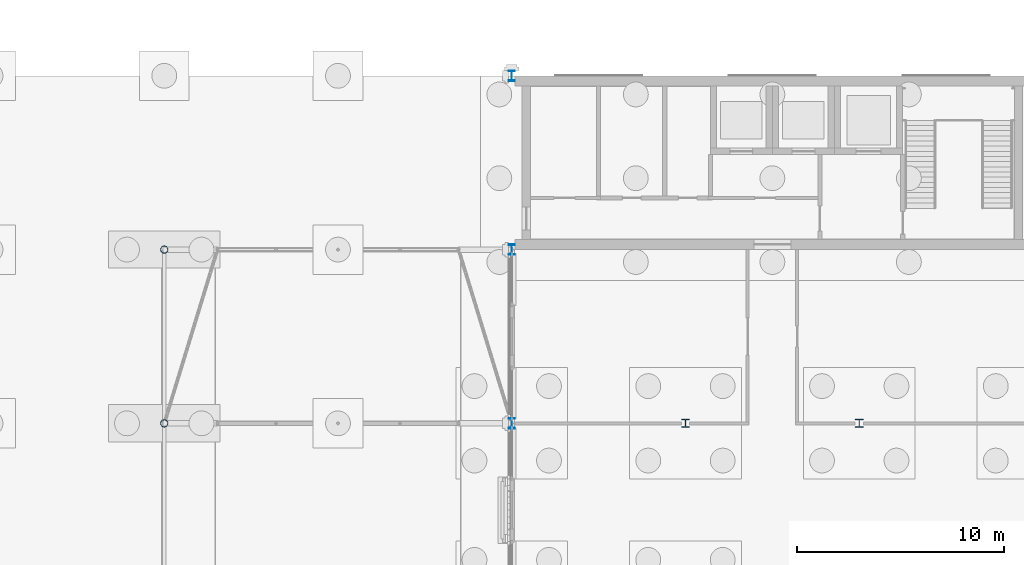
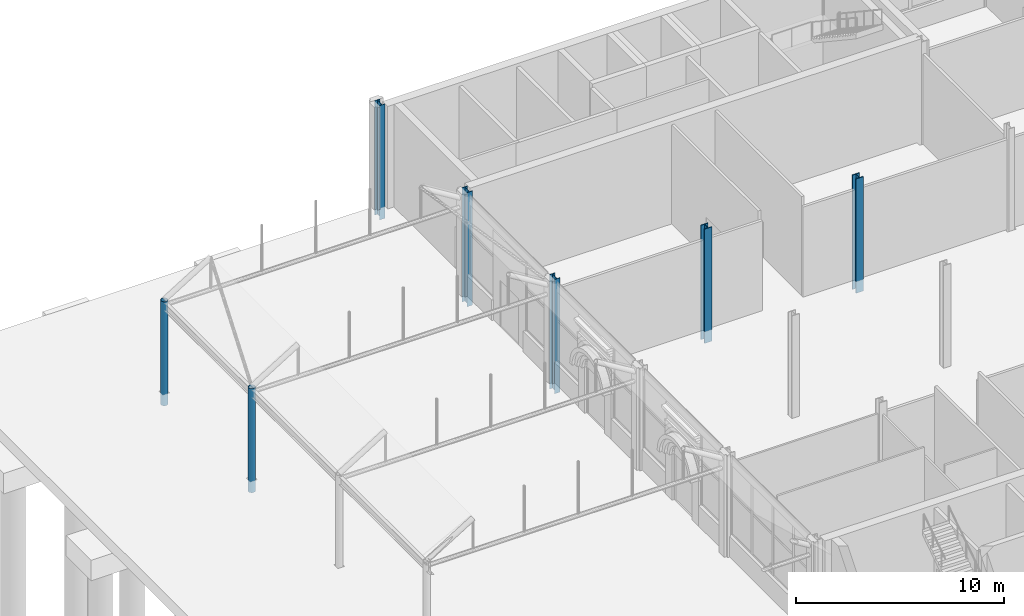
# One storey, part 32 of 212: 7 columns.
"""IFC4 building model written with IfcOpenShell, lengths in metres."""

import ifcopenshell
import ifcopenshell.guid

model = None  # the IFC model being written
_history = None  # IfcOwnerHistory: only IFC2X3 demands one
_inside = {}  # id of a spatial element -> (the spatial element, [elements in it])
_under = {}  # id of a project, library or spatial element -> (it, [spatial elements below it])
_declared = {}  # id of a project -> (the project, [libraries it declares])
_typed = {}  # id of a type object -> (the type object, [elements of that type])
_made_of = {}  # id of a material, layer set ... -> (it, [elements and type objects made of it])


def new_model(schema):
    """Start an empty IFC model of exactly this schema.

    Asked for "IFC4X3", IfcOpenShell would pick the latest addendum, in which some entities
    have other attributes; the version numbers below select the first issue.
    IFC2X3 requires an IfcOwnerHistory on every rooted entity: one is made here for all.
    """
    global model, _history
    if schema == "IFC4X3":
        model = ifcopenshell.file(schema_version=(4, 3, 0, 0))
    else:
        model = ifcopenshell.file(schema=schema)
    _inside.clear()
    _under.clear()
    _declared.clear()
    _typed.clear()
    _made_of.clear()
    _history = None
    if model.schema == "IFC2X3":
        org = make("IfcOrganization", Name="unknown")
        user = make(
            "IfcPersonAndOrganization",
            ThePerson=make("IfcPerson", FamilyName="unknown"),
            TheOrganization=org,
        )
        app = make(
            "IfcApplication",
            ApplicationDeveloper=org,
            Version="unknown",
            ApplicationFullName="unknown",
            ApplicationIdentifier="unknown",
        )
        _history = make(
            "IfcOwnerHistory",
            OwningUser=user,
            OwningApplication=app,
            ChangeAction="ADDED",
            CreationDate=0,
        )
    return model


def make(cls, **values):
    """One entity of the class cls with the attributes given. An attribute that is None is left unset."""
    return model.create_entity(
        cls, **{name: value for name, value in values.items() if value is not None}
    )


def rooted(cls, **values):
    """An entity with a GlobalId (a new one), such as an element, a storey or a relation."""
    return make(cls, GlobalId=ifcopenshell.guid.new(), OwnerHistory=_history, **values)


def si_unit(unit_type, name, prefix=None):
    """IfcSIUnit, for example si_unit("LENGTHUNIT", "METRE", prefix="MILLI")."""
    return make("IfcSIUnit", UnitType=unit_type, Prefix=prefix, Name=name)


def assignment(units):
    """IfcUnitAssignment: the units of a project."""
    return None if units is None else make("IfcUnitAssignment", Units=units)


def point(xyz):
    """IfcCartesianPoint."""
    return None if xyz is None else make("IfcCartesianPoint", Coordinates=xyz)


def direction(xyz):
    """IfcDirection."""
    return None if xyz is None else make("IfcDirection", DirectionRatios=xyz)


def frame(location, z_axis=None, x_axis=None):
    """IfcAxis2Placement3D, a coordinate frame: its origin and axes. An axis left out is left unset."""
    return make(
        "IfcAxis2Placement3D",
        Location=point(location),
        Axis=direction(z_axis),
        RefDirection=direction(x_axis),
    )


def frame_2d(location, x_axis=None):
    """IfcAxis2Placement2D, a coordinate frame in the plane: its origin and x axis."""
    return make(
        "IfcAxis2Placement2D", Location=point(location), RefDirection=direction(x_axis)
    )


def origin():
    """The frame at (0, 0, 0) with its axes left unset."""
    return frame((0.0, 0.0, 0.0))


def origin_2d():
    """The frame at (0, 0) in the plane with its x axis left unset."""
    return frame_2d((0.0, 0.0))


def place(relative_to, where):
    """IfcLocalPlacement: puts the frame where relative to a parent placement (None: the world)."""
    return make(
        "IfcLocalPlacement", PlacementRelTo=relative_to, RelativePlacement=where
    )


def context(
    kind, dimensions, precision=None, world=None, true_north=None, identifier=None
):
    """IfcGeometricRepresentationContext, for example the 3D "Model" context."""
    return make(
        "IfcGeometricRepresentationContext",
        ContextIdentifier=identifier,
        ContextType=kind,
        CoordinateSpaceDimension=dimensions,
        Precision=precision,
        WorldCoordinateSystem=world,
        TrueNorth=true_north,
    )


def subcontext(parent, identifier, kind, view, scale=None):
    """IfcGeometricRepresentationSubContext, for example "Body" below "Model"."""
    return make(
        "IfcGeometricRepresentationSubContext",
        ContextIdentifier=identifier,
        ContextType=kind,
        ParentContext=parent,
        TargetScale=scale,
        TargetView=view,
    )


def project(units=None, contexts=None):
    """IfcProject with its units and contexts."""
    return rooted(
        "IfcProject",
        Name="project",
        RepresentationContexts=contexts,
        UnitsInContext=assignment(units),
    )


def spatial(cls, under=None, at=None, **own):
    """A site, building, storey or space (cls), placed at a placement, below another one or the project."""
    s = rooted(cls, ObjectPlacement=at, **own)
    if under is not None:
        _under.setdefault(under.id(), (under, []))[1].append(s)
    return s


def profile(cls, at=None, kind="AREA", **sizes):
    """A parametric profile (cls). Its sizes go by their IFC names, for example OverallWidth=200.0."""
    return make(cls, ProfileType=kind, Position=at, **sizes)


def hollow_circle(**sizes):
    """IfcCircleHollowProfileDef."""
    return profile("IfcCircleHollowProfileDef", **sizes)


def i_section(**sizes):
    """IfcIShapeProfileDef."""
    return profile("IfcIShapeProfileDef", **sizes)


def extrude(swept, where, along, depth):
    """IfcExtrudedAreaSolid: the profile swept, set in the frame where, extruded along a direction by depth."""
    return make(
        "IfcExtrudedAreaSolid",
        SweptArea=swept,
        Position=where,
        ExtrudedDirection=direction(along),
        Depth=depth,
    )


def shape(context_of_items, identifier, shape_type, items):
    """IfcShapeRepresentation: the items that make up one representation, for example the "Body"."""
    return make(
        "IfcShapeRepresentation",
        ContextOfItems=context_of_items,
        RepresentationIdentifier=identifier,
        RepresentationType=shape_type,
        Items=items,
    )


def material(Name=None, Category=None):
    """IfcMaterial."""
    return make("IfcMaterial", Name=Name, Category=Category)


def material_profile(
    of_material, cross_section, Name=None, Category=None, Priority=None
):
    """IfcMaterialProfile: a cross section and its material."""
    return make(
        "IfcMaterialProfile",
        Name=Name,
        Material=of_material,
        Profile=cross_section,
        Priority=Priority,
        Category=Category,
    )


def profile_set(profiles, Name=None, composite=None):
    """IfcMaterialProfileSet."""
    return make(
        "IfcMaterialProfileSet",
        Name=Name,
        MaterialProfiles=profiles,
        CompositeProfile=composite,
    )


def made_of(thing, what):
    """Note that an element or type object is made of a material, layer set ...; save() writes the relation."""
    if what is not None:
        _made_of.setdefault(what.id(), (what, []))[1].append(thing)
    return thing


def type_object(cls, material=None, **own):
    """A type object (cls), such as IfcWallType, which elements share."""
    return made_of(rooted(cls, **own), material)


def element(
    cls,
    number,
    at=None,
    inside=None,
    cuts=None,
    type_object=None,
    material=None,
    context=None,
    identifier="Body",
    shape_type=None,
    held_by="IfcProductDefinitionShape",
    body=None,
    shapes=None,
    **own,
):
    """One element of the class cls, such as IfcWall. Its Tag is "e" and its number.

    at: its placement. inside: the storey or other place that contains it. cuts: it is an
    opening in that element (IfcRelVoidsElement). A single representation is given by context,
    identifier, shape_type and body (its items); several are given by shapes. held_by: the class
    of the entity that holds the representations. save() writes the other relations.
    """
    e = rooted(cls, Tag="e%d" % number, ObjectPlacement=at, **own)
    if body is not None:
        shapes = [shape(context, identifier, shape_type, body)]
    if shapes is not None:
        e.Representation = make(held_by, Representations=shapes)
    if inside is not None:
        _inside.setdefault(inside.id(), (inside, []))[1].append(e)
    if cuts is not None:
        rooted(
            "IfcRelVoidsElement", RelatingBuildingElement=cuts, RelatedOpeningElement=e
        )
    if type_object is not None:
        _typed.setdefault(type_object.id(), (type_object, []))[1].append(e)
    return made_of(e, material)


def aggregate(whole, parts):
    """IfcRelAggregates: a whole, such as a stair, and the parts it consists of."""
    return rooted("IfcRelAggregates", RelatingObject=whole, RelatedObjects=parts)


def save(model, path):
    """Write the relations noted so far, then the file.

    IfcRelAggregates (storeys below a building ...), IfcRelContainedInSpatialStructure (elements
    in a storey), IfcRelDefinesByType, IfcRelAssociatesMaterial and IfcRelDeclares: one each for
    every whole, place, type object, material and project.
    """
    for whole, parts in _under.values():
        aggregate(whole, parts)
    for where, things in _inside.values():
        rooted(
            "IfcRelContainedInSpatialStructure",
            RelatedElements=things,
            RelatingStructure=where,
        )
    for kind, things in _typed.values():
        rooted("IfcRelDefinesByType", RelatedObjects=things, RelatingType=kind)
    for what, things in _made_of.values():
        rooted("IfcRelAssociatesMaterial", RelatedObjects=things, RelatingMaterial=what)
    for by, libraries in _declared.values():
        rooted("IfcRelDeclares", RelatingContext=by, RelatedDefinitions=libraries)
    model.write(path)


model = new_model("IFC4")

# Units and contexts
model_context = context("Model", 3, precision=1e-05, world=origin(), true_north=direction((0.0, 1.0)))
body_context = subcontext(model_context, "Body", "Model", "MODEL_VIEW")
ifc_project = project(units=[si_unit("LENGTHUNIT", "METRE"), si_unit("AREAUNIT", "SQUARE_METRE"), si_unit("VOLUMEUNIT", "CUBIC_METRE"), si_unit("PLANEANGLEUNIT", "RADIAN"), si_unit("MASSUNIT", "GRAM", prefix="KILO")], contexts=[model_context])

# Site, building, storey
site_placement = place(None, origin())
site = spatial("IfcSite", under=ifc_project, at=site_placement, CompositionType="ELEMENT")
building_placement = place(site_placement, origin())
building = spatial("IfcBuilding", under=site, at=building_placement, Name="Catenary Quay Ferry Terminal", CompositionType="ELEMENT")
storey_placement = place(building_placement, origin())
storey = spatial("IfcBuildingStorey", under=building, at=storey_placement, Name="L00", CompositionType="ELEMENT", Elevation=0.0)

# Columns
ifc_material_1 = material(Name="Steel S355", Category="steel")
ifc_material_profile_1 = material_profile(ifc_material_1, i_section(OverallWidth=0.300048828125, OverallDepth=0.5, WebThickness=0.014404296875, FlangeThickness=0.028076171875, at=origin_2d()), Name="HEB 500")
ifc_profile_set_1 = profile_set([ifc_material_profile_1], Name="Steel S355")
column_type_1 = type_object("IfcColumnType", Name="C1 HEB 500", PredefinedType="COLUMN", material=ifc_profile_set_1)
for number, where, z_axis, x_axis, name in (
    (1, (25.199951171875, 201.60009765625, -0.699951171875), (0.0, 0.0, 1.0), (1.0, 0.0, 0.0), "Column C-D25 L00"),
    (2, (25.199951171875, 210.0, -0.699951171875), (0.0, 0.0, 1.0), (1.0, 0.0, 0.0), "Column C-D26 L00"),
    (3, (25.199951171875, 193.199951171875, -0.699951171875), (0.0, 0.0, 1.0), (1.0, 0.0, 0.0), "Column C-D24 L00"),
):
    element("IfcColumn", number, at=place(storey_placement, frame(where, z_axis=z_axis, x_axis=x_axis)), inside=storey, type_object=column_type_1, Name=name, PredefinedType="COLUMN", context=body_context, shape_type="SweptSolid", body=[
        extrude(i_section(OverallWidth=0.300048828125, OverallDepth=0.5, WebThickness=0.014404296875, FlangeThickness=0.028076171875, at=origin_2d()), origin(), (0.0, 0.0, 1.0), 6.699951171875),
    ])
ifc_material_2 = material(Name="Steel S355", Category="steel")
ifc_material_profile_2 = material_profile(ifc_material_2, hollow_circle(Radius=0.177734375, WallThickness=0.012451171875, at=origin_2d()), Name="CHS 355.6x12.5")
ifc_profile_set_2 = profile_set([ifc_material_profile_2], Name="Steel S355")
column_type_2 = type_object("IfcColumnType", Name="C5 CHS 355.6x12.5", PredefinedType="COLUMN", material=ifc_profile_set_2)
for number, where, z_axis, x_axis, name in (
    (4, (8.39990234375, 193.199951171875, -0.699951171875), (0.0, 0.0, 1.0), (1.0, 0.0, 0.0), "Column C-B24 L00"),
    (5, (8.39990234375, 201.60009765625, -0.699951171875), (0.0, 0.0, 1.0), (1.0, 0.0, 0.0), "Column C-B25 L00"),
):
    element("IfcColumn", number, at=place(storey_placement, frame(where, z_axis=z_axis, x_axis=x_axis)), inside=storey, type_object=column_type_2, Name=name, PredefinedType="COLUMN", context=body_context, shape_type="SweptSolid", body=[
        extrude(hollow_circle(Radius=0.177734375, WallThickness=0.012451171875, at=origin_2d()), origin(), (0.0, 0.0, 1.0), 6.099853515625),
    ])
ifc_material_3 = material(Name="Steel S355", Category="steel")
ifc_material_profile_3 = material_profile(ifc_material_3, i_section(OverallWidth=0.404052734375, OverallDepth=0.406982421875, WebThickness=0.027099609375, FlangeThickness=0.043701171875, at=origin_2d()), Name="HD 400x347")
ifc_profile_set_3 = profile_set([ifc_material_profile_3], Name="Steel S355")
column_type_3 = type_object("IfcColumnType", Name="C9 HD 400x347", PredefinedType="COLUMN", material=ifc_profile_set_3)
for number, where, z_axis, x_axis, name in (
    (6, (33.60009765625, 193.199951171875, -0.699951171875), (0.0, 0.0, 1.0), (1.0, 0.0, 0.0), "Column C-E24 L00"),
    (7, (42.0, 193.199951171875, -0.699951171875), (0.0, 0.0, 1.0), (1.0, 0.0, 0.0), "Column C-F24 L00"),
):
    element("IfcColumn", number, at=place(storey_placement, frame(where, z_axis=z_axis, x_axis=x_axis)), inside=storey, type_object=column_type_3, Name=name, PredefinedType="COLUMN", context=body_context, shape_type="SweptSolid", body=[
        extrude(i_section(OverallWidth=0.404052734375, OverallDepth=0.406982421875, WebThickness=0.027099609375, FlangeThickness=0.043701171875, at=origin_2d()), origin(), (0.0, 0.0, 1.0), 6.699951171875),
    ])

save(model, "model.ifc")
